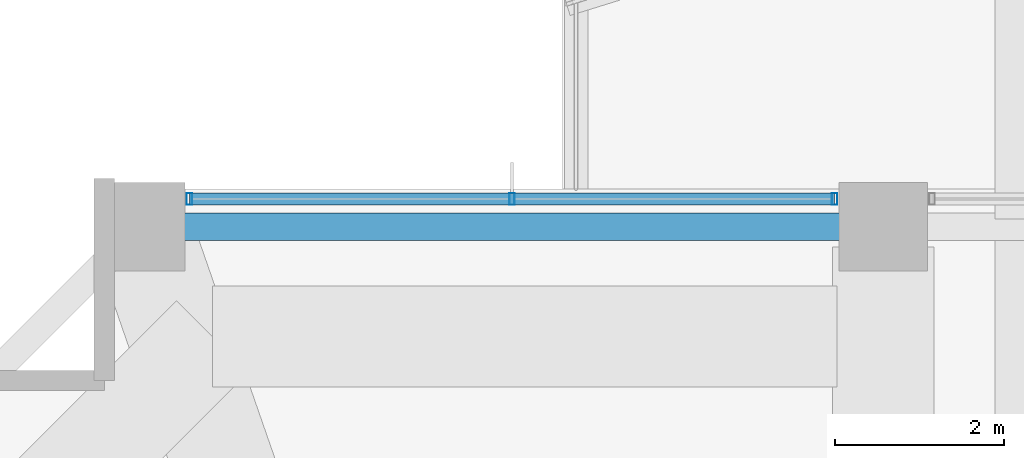
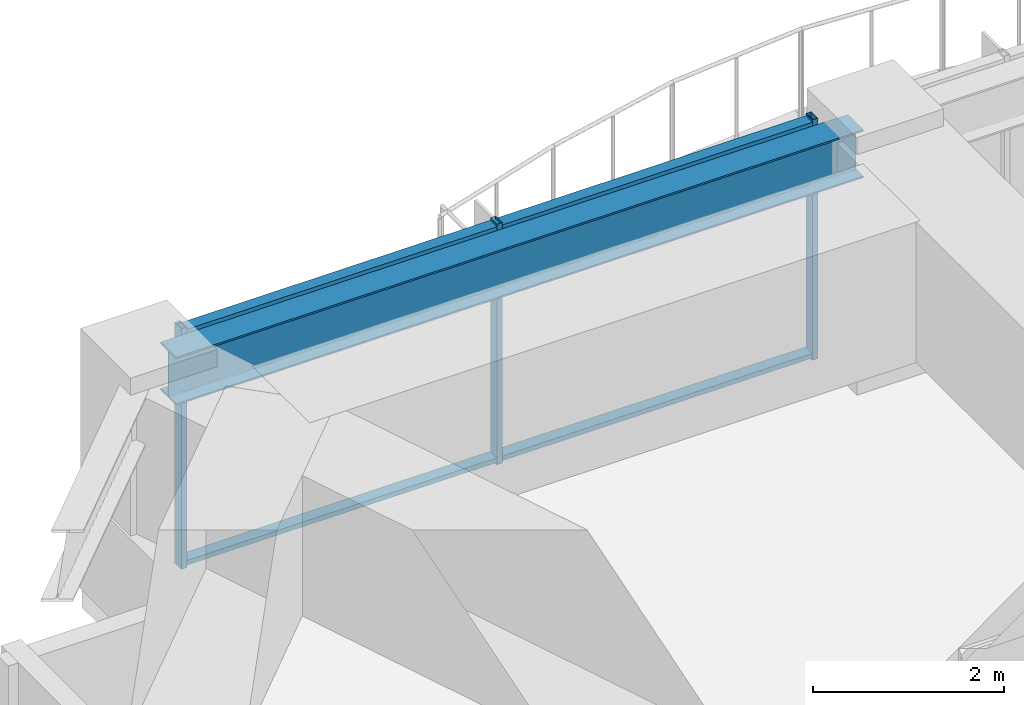
# One storey, part 19 of 34: 5 members, 1 beam, 1 element without a shape of its own.
"""IFC4 building model written with IfcOpenShell, lengths in metres."""

from ifc_helpers import new_model, si_unit, direction, frame, origin, origin_2d, place, context, subcontext, project, spatial, hollow_rectangle, i_section, extrude, material, material_profile, profile_set, type_object, element, aggregate, save


model = new_model("IFC4")

# Units and contexts
model_context = context("Model", 3, precision=1e-05, world=origin(), true_north=direction((0.0, 1.0)))
body_context = subcontext(model_context, "Body", "Model", "MODEL_VIEW")
ifc_project = project(units=[si_unit("LENGTHUNIT", "METRE"), si_unit("AREAUNIT", "SQUARE_METRE"), si_unit("VOLUMEUNIT", "CUBIC_METRE"), si_unit("PLANEANGLEUNIT", "RADIAN"), si_unit("MASSUNIT", "GRAM", prefix="KILO")], contexts=[model_context])

# Site, building, storey
site_placement = place(None, origin())
site = spatial("IfcSite", under=ifc_project, at=site_placement, CompositionType="ELEMENT")
building_placement = place(site_placement, origin())
building = spatial("IfcBuilding", under=site, at=building_placement, Name="Kolvaren Belvedere", CompositionType="ELEMENT")
storey_placement = place(building_placement, frame((0.0, 0.0, 105.199951171875)))
storey = spatial("IfcBuildingStorey", under=building, at=storey_placement, Name="L30", CompositionType="ELEMENT", Elevation=105.199951171875)

# Beam
ifc_material_1 = material(Name="Structural steel ASTM A992 Grade 50", Category="steel")
ifc_material_profile_1 = material_profile(ifc_material_1, i_section(OverallWidth=0.324951171875, OverallDepth=0.615966796875, WebThickness=0.013916015625, FlangeThickness=0.021484375, FilletRadius=0.02001953125, at=origin_2d()), Name="W24X117")
ifc_profile_set_1 = profile_set([ifc_material_profile_1], Name="Structural steel ASTM A992 Grade 50")
beam_type = type_object("IfcBeamType", Name="BM-SPAN-W24X117", PredefinedType="SPANDREL", material=ifc_profile_set_1)
beam_placement = place(storey_placement, frame((-4.836181640625, 19.949951171875, 2.77197265625), z_axis=(-1.0, 0.0, 0.0), x_axis=(0.0, -1.0, 0.0)))
element("IfcBeam", 1, at=beam_placement, inside=storey, type_object=beam_type, Name="L30 Perimeter Spandrel N2-N1", PredefinedType="SPANDREL", context=body_context, shape_type="SweptSolid", body=[
    extrude(i_section(OverallWidth=0.324951171875, OverallDepth=0.615966796875, WebThickness=0.013916015625, FlangeThickness=0.021484375, FilletRadius=0.02001953125, at=origin_2d()), origin(), (0.0, 0.0, 1.0), 8.32763671875),
])

# Curtain wall, members
ifc_material_2 = material(Name="Anodised pale-metal aluminium AA 6063-T6", Category="aluminium")
curtain_wall_type = type_object("IfcCurtainWallType", Name="CW-Z2-MID", PredefinedType="NOTDEFINED", material=ifc_material_2)
curtain_wall_placement = place(storey_placement, origin())
curtain_wall = element("IfcCurtainWall", 2, at=curtain_wall_placement, inside=storey, type_object=curtain_wall_type, Name="L30 Unitised Curtain Wall FCW-L30-N1-B1", PredefinedType="NOTDEFINED")
ifc_material_3 = material(Name="Anodised pale-metal aluminium AA 6063-T6", Category="aluminium")
ifc_material_profile_2 = material_profile(ifc_material_3, hollow_rectangle(XDim=0.06494140625, YDim=0.139892578125, WallThickness=0.00390625, at=origin_2d()), Name="ALU-MUL-140X65")
ifc_profile_set_2 = profile_set([ifc_material_profile_2], Name="Anodised pale-metal aluminium AA 6063-T6")
member_type_1 = type_object("IfcMemberType", Name="CW-MUL-140", PredefinedType="MULLION", material=ifc_profile_set_2)
member_1_placement = place(storey_placement, frame((-12.822509765625, 20.280029296875, 0.0), z_axis=(0.0, 0.0, 1.0), x_axis=(1.0, 0.0, 0.0)))
member_1 = element("IfcMember", 3, at=member_1_placement, type_object=member_type_1, Name="FCW-L30-N1-B1 Unitised Mullion 1", PredefinedType="MULLION", context=body_context, shape_type="SweptSolid", body=[
    extrude(hollow_rectangle(XDim=0.06494140625, YDim=0.139892578125, WallThickness=0.00390625, at=origin_2d()), origin(), (0.0, 0.0, 1.0), 3.080078125),
])
member_2_placement = place(storey_placement, frame((-9.0, 20.280029296875, 0.0), z_axis=(0.0, 0.0, 1.0), x_axis=(1.0, 0.0, 0.0)))
member_2 = element("IfcMember", 4, at=member_2_placement, type_object=member_type_1, Name="FCW-L30-N1-B1 Unitised Mullion 2", PredefinedType="MULLION", context=body_context, shape_type="SweptSolid", body=[
    extrude(hollow_rectangle(XDim=0.06494140625, YDim=0.139892578125, WallThickness=0.00390625, at=origin_2d()), origin(), (0.0, 0.0, 1.0), 3.080078125),
])
member_3_placement = place(storey_placement, frame((-5.177490234375, 20.280029296875, 0.0), z_axis=(0.0, 0.0, 1.0), x_axis=(1.0, 0.0, 0.0)))
member_3 = element("IfcMember", 5, at=member_3_placement, type_object=member_type_1, Name="FCW-L30-N1-B1 Unitised Mullion 3", PredefinedType="MULLION", context=body_context, shape_type="SweptSolid", body=[
    extrude(hollow_rectangle(XDim=0.06494140625, YDim=0.139892578125, WallThickness=0.00390625, at=origin_2d()), origin(), (0.0, 0.0, 1.0), 3.080078125),
])
ifc_material_4 = material(Name="Anodised pale-metal aluminium AA 6063-T6", Category="aluminium")
ifc_material_profile_3 = material_profile(ifc_material_4, hollow_rectangle(XDim=0.06005859375, YDim=0.139892578125, WallThickness=0.00390625, at=origin_2d()), Name="ALU-TRN-140X60")
ifc_profile_set_3 = profile_set([ifc_material_profile_3], Name="Anodised pale-metal aluminium AA 6063-T6")
member_type_2 = type_object("IfcMemberType", Name="CW-TRN-140", PredefinedType="USERDEFINED", material=ifc_profile_set_3)
member_4_placement = place(storey_placement, frame((-12.822509765625, 20.280029296875, 0.06005859375), z_axis=(1.0, 0.0, 0.0), x_axis=(0.0, 0.0, 1.0)))
member_4 = element("IfcMember", 6, at=member_4_placement, type_object=member_type_2, Name="FCW-L30-N1-B1 Sill Transom", ObjectType="TRANSOM", PredefinedType="USERDEFINED", context=body_context, shape_type="SweptSolid", body=[
    extrude(hollow_rectangle(XDim=0.06005859375, YDim=0.139892578125, WallThickness=0.00390625, at=origin_2d()), origin(), (0.0, 0.0, 1.0), 7.64501953125),
])
member_5_placement = place(storey_placement, frame((-12.822509765625, 20.280029296875, 3.02001953125), z_axis=(1.0, 0.0, 0.0), x_axis=(0.0, 0.0, 1.0)))
member_5 = element("IfcMember", 7, at=member_5_placement, type_object=member_type_2, Name="FCW-L30-N1-B1 Head Transom", ObjectType="TRANSOM", PredefinedType="USERDEFINED", context=body_context, shape_type="SweptSolid", body=[
    extrude(hollow_rectangle(XDim=0.06005859375, YDim=0.139892578125, WallThickness=0.00390625, at=origin_2d()), origin(), (0.0, 0.0, 1.0), 7.64501953125),
])
aggregate(curtain_wall, [member_1, member_2, member_3, member_4, member_5])

save(model, "model.ifc")
